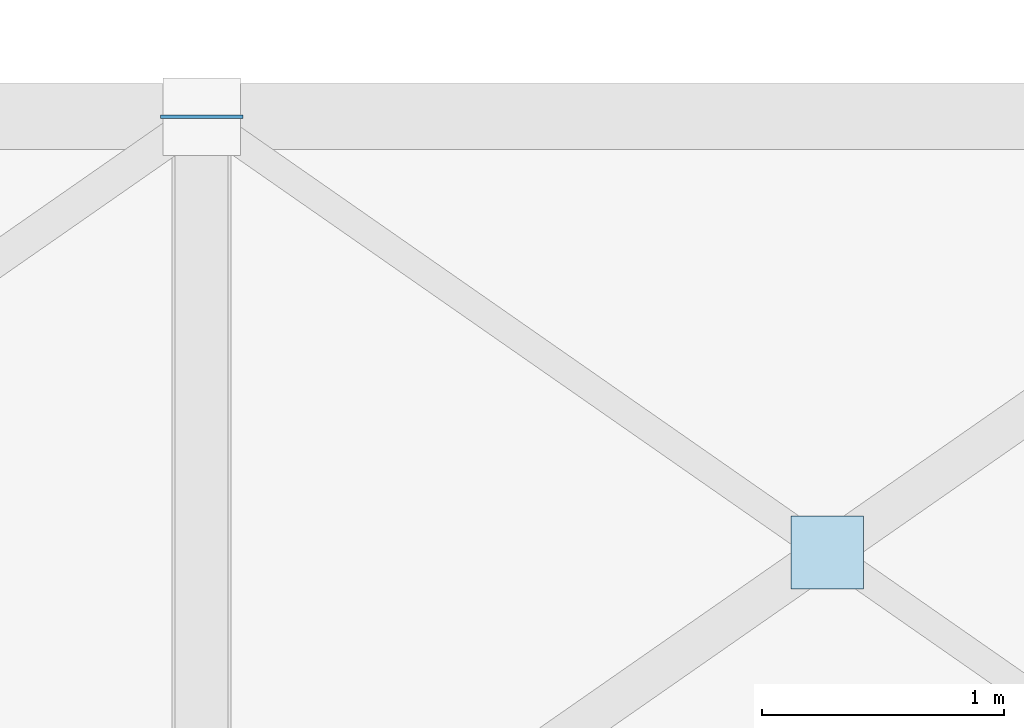
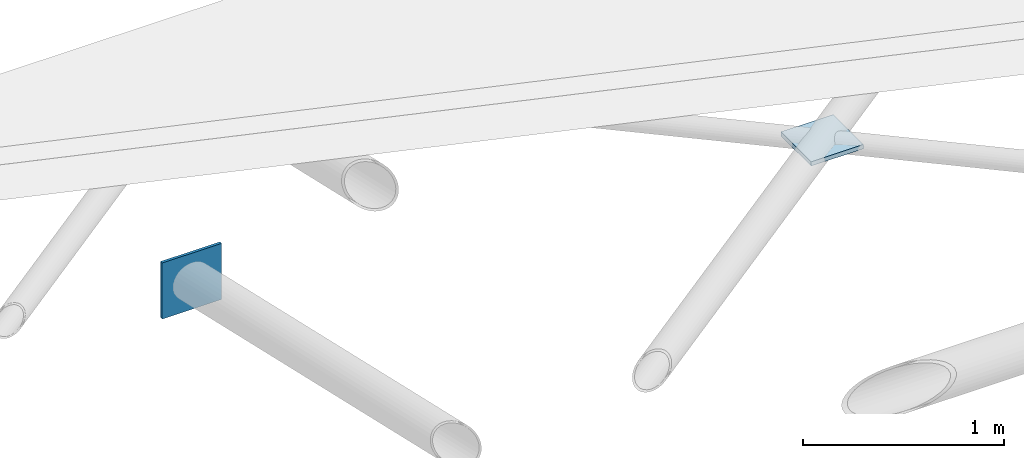
# One storey, part 90 of 110: 2 plates.
"""IFC4 building model written with IfcOpenShell, lengths in metres."""

from ifc_helpers import new_model, si_unit, direction, frame, origin, origin_2d, place, context, subcontext, project, spatial, rectangle, extrude, material, layer, layer_set, type_object, element, save


model = new_model("IFC4")

# Units and contexts
model_context = context("Model", 3, precision=1e-05, world=origin(), true_north=direction((0.0, 1.0)))
body_context = subcontext(model_context, "Body", "Model", "MODEL_VIEW")
ifc_project = project(units=[si_unit("LENGTHUNIT", "METRE"), si_unit("AREAUNIT", "SQUARE_METRE"), si_unit("VOLUMEUNIT", "CUBIC_METRE"), si_unit("PLANEANGLEUNIT", "RADIAN"), si_unit("MASSUNIT", "GRAM", prefix="KILO")], contexts=[model_context])

# Site, building, storey
site_placement = place(None, origin())
site = spatial("IfcSite", under=ifc_project, at=site_placement, CompositionType="ELEMENT")
building_placement = place(site_placement, origin())
building = spatial("IfcBuilding", under=site, at=building_placement, Name="Tamarisk Ironworks Central Station", CompositionType="ELEMENT")
storey_placement = place(building_placement, frame((0.0, 0.0, 17.39990234375)))
storey = spatial("IfcBuildingStorey", under=building, at=storey_placement, Name="L03", CompositionType="ELEMENT", Elevation=17.39990234375)

# Plates
ifc_material_1 = material(Name="Painted structural steel S355J2", Category="steel")
ifc_layer_1 = layer(ifc_material_1, 0.01611328125)
ifc_layer_set_1 = layer_set([ifc_layer_1], Name="Painted structural steel S355J2")
plate_type_1 = type_object("IfcPlateType", Name="PL-EC16", PredefinedType="SHEET", material=ifc_layer_set_1)
plate_1_placement = place(storey_placement, frame((123.166748046875, 79.199951171875, -1.89013671875), z_axis=(0.0, 0.0, 1.0), x_axis=(1.0, 0.0, 0.0)))
element("IfcPlate", 1, at=plate_1_placement, inside=storey, type_object=plate_type_1, Name="Hollow section welded end-cap plate 16", PredefinedType="SHEET", context=body_context, shape_type="SweptSolid", body=[
    extrude(rectangle(XDim=0.340087890625, YDim=0.01611328125, at=origin_2d()), origin(), (0.0, 0.0, 1.0), 0.340087890625),
])
ifc_material_2 = material(Name="Structural steel S355J2H", Category="steel")
ifc_layer_2 = layer(ifc_material_2, 0.02587890625)
ifc_layer_set_2 = layer_set([ifc_layer_2], Name="Structural steel S355J2H")
plate_type_2 = type_object("IfcPlateType", Name="PL-ND26", PredefinedType="SHEET", material=ifc_layer_set_2)
plate_2_placement = place(storey_placement, frame((125.75, 77.39990234375, -0.6953125), z_axis=(0.0, 0.0, 1.0), x_axis=(1.0, 0.0, 0.0)))
element("IfcPlate", 2, at=plate_2_placement, inside=storey, type_object=plate_type_2, Name="Space-frame X-brace crossing gusset plate 0988", PredefinedType="SHEET", context=body_context, shape_type="SweptSolid", body=[
    extrude(rectangle(XDim=0.300048828125, YDim=0.300048828125, at=origin_2d()), origin(), (0.0, 0.0, 1.0), 0.02587890625),
])

save(model, "model.ifc")
